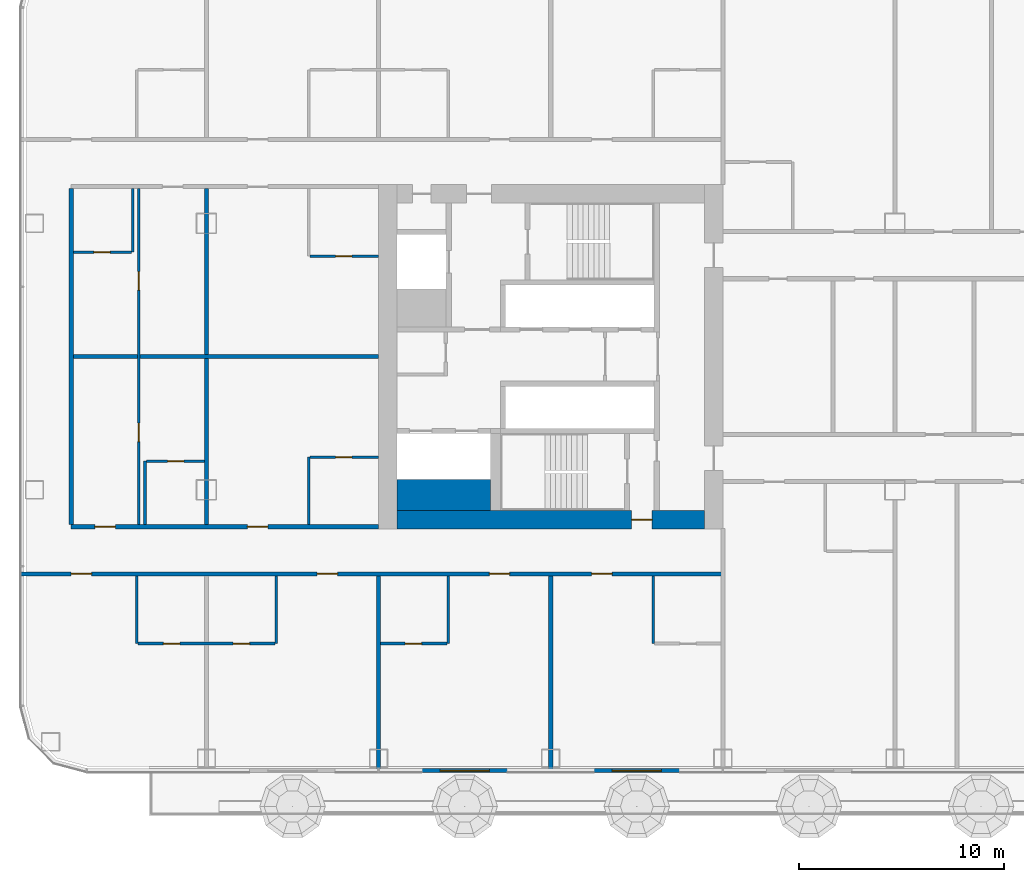
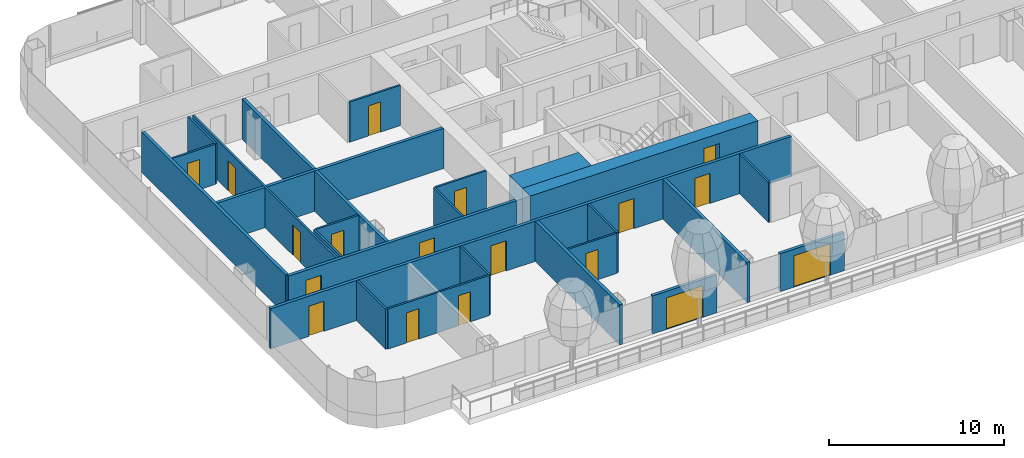
# One storey, part 13 of 35: 25 walls, 18 doors, 18 openings, 1 element without a shape of its own.
"""IFC4 building model written with IfcOpenShell, lengths in metres."""

from ifc_helpers import new_model, si_unit, direction, frame, frame_2d, origin, place, context, subcontext, project, spatial, rectangle, extrude, material, layer, layer_set, type_object, element, fill, aggregate, save


model = new_model("IFC4")

# Units and contexts
model_context = context("Model", 3, precision=1e-05, world=origin(), true_north=direction((0.0, 1.0)))
body_context = subcontext(model_context, "Body", "Model", "MODEL_VIEW")
ifc_project = project(units=[si_unit("LENGTHUNIT", "METRE"), si_unit("AREAUNIT", "SQUARE_METRE"), si_unit("VOLUMEUNIT", "CUBIC_METRE"), si_unit("PLANEANGLEUNIT", "RADIAN"), si_unit("MASSUNIT", "GRAM", prefix="KILO")], contexts=[model_context])

# Site, building, storey
site_placement = place(None, origin())
site = spatial("IfcSite", under=ifc_project, at=site_placement, CompositionType="ELEMENT")
building_placement = place(site_placement, origin())
building = spatial("IfcBuilding", under=site, at=building_placement, Name="Hakoniwa Tower and Hamabe Station Hall", CompositionType="ELEMENT")
storey_placement = place(building_placement, frame((0.0, 0.0, 51.800048828125)))
storey = spatial("IfcBuildingStorey", under=building, at=storey_placement, Name="L14", CompositionType="ELEMENT", Elevation=51.800048828125)

# Wall, openings, doors
ifc_material_1 = material(Name="Gypsum board partition", Category="gypsum")
ifc_layer_1 = layer(ifc_material_1, 0.125)
ifc_layer_set_1 = layer_set([ifc_layer_1], Name="Bathroom Partition 125")
wall_type_1 = type_object("IfcWallType", Name="Bathroom Partition 125", PredefinedType="PARTITIONING", material=ifc_layer_set_1)
wall_1_placement = place(storey_placement, frame((-45.33740234375, -14.0, 0.0), z_axis=(0.0, 0.0, 1.0), x_axis=(1.0, 0.0, 0.0)))
wall_1 = element("IfcWall", 1, at=wall_1_placement, inside=storey, type_object=wall_type_1, Name="GW-L14-001", PredefinedType="PARTITIONING", context=body_context, shape_type="SweptSolid", body=[
    extrude(rectangle(XDim=6.6748046875, YDim=0.125, at=frame_2d((3.33740234375, 0.0))), origin(), (0.0, 0.0, 1.0), 2.800048828125),
])
opening_1_placement = place(wall_1_placement, frame((1.237548828125, 0.0, 0.0)))
opening_1 = element("IfcOpeningElement", 2, at=opening_1_placement, cuts=wall_1, Name="Opening GD-G1A2-01", PredefinedType="OPENING", context=body_context, shape_type="SweptSolid", body=[
    extrude(rectangle(XDim=0.800048828125, YDim=2.10009765625, at=frame_2d((0.39990234375, 1.050048828125))), frame((0.0, 0.072509765625, 0.0), z_axis=(0.0, -1.0, 0.0), x_axis=(1.0, 0.0, 0.0)), (0.0, 0.0, 1.0), 0.14501953125),
])
opening_2_placement = place(wall_1_placement, frame((4.637451171875, 0.0, 0.0)))
opening_2 = element("IfcOpeningElement", 3, at=opening_2_placement, cuts=wall_1, Name="Opening GD-G1A2-02", PredefinedType="OPENING", context=body_context, shape_type="SweptSolid", body=[
    extrude(rectangle(XDim=0.800048828125, YDim=2.10009765625, at=frame_2d((0.39990234375, 1.050048828125))), frame((0.0, 0.072509765625, 0.0), z_axis=(0.0, -1.0, 0.0), x_axis=(1.0, 0.0, 0.0)), (0.0, 0.0, 1.0), 0.14501953125),
])
ifc_material_2 = material(Name="Timber door leaf", Category="wood")
door_type_1 = type_object("IfcDoorType", Name="Bathroom Door 800", OperationType="SINGLE_SWING_LEFT", PredefinedType="DOOR", material=ifc_material_2)
door_1_placement = place(opening_1_placement, origin())
door_1 = element("IfcDoor", 4, at=door_1_placement, inside=storey, type_object=door_type_1, Name="Door GD-G1A2-01", OperationType="SINGLE_SWING_LEFT", OverallHeight=2.10009765625, OverallWidth=0.800048828125, PredefinedType="DOOR", context=body_context, shape_type="SweptSolid", body=[
    extrude(rectangle(XDim=0.800048828125, YDim=2.10009765625, at=frame_2d((0.39990234375, 1.050048828125))), frame((0.0, 0.02490234375, 0.0), z_axis=(0.0, -1.0, 0.0), x_axis=(1.0, 0.0, 0.0)), (0.0, 0.0, 1.0), 0.050048828125),
])
fill(opening_1, door_1)
door_2_placement = place(opening_2_placement, origin())
door_2 = element("IfcDoor", 5, at=door_2_placement, inside=storey, type_object=door_type_1, Name="Door GD-G1A2-02", OperationType="SINGLE_SWING_RIGHT", OverallHeight=2.10009765625, OverallWidth=0.800048828125, PredefinedType="DOOR", context=body_context, shape_type="SweptSolid", body=[
    extrude(rectangle(XDim=0.800048828125, YDim=2.10009765625, at=frame_2d((0.39990234375, 1.050048828125))), frame((0.0, 0.02490234375, 0.0), z_axis=(0.0, -1.0, 0.0), x_axis=(1.0, 0.0, 0.0)), (0.0, 0.0, 1.0), 0.050048828125),
])
fill(opening_2, door_2)

# Wall, opening, door
wall_2_placement = place(storey_placement, frame((-33.5, -14.0, 0.0), z_axis=(0.0, 0.0, 1.0), x_axis=(1.0, 0.0, 0.0)))
wall_2 = element("IfcWall", 6, at=wall_2_placement, inside=storey, type_object=wall_type_1, Name="GW-L14-002", PredefinedType="PARTITIONING", context=body_context, shape_type="SweptSolid", body=[
    extrude(rectangle(XDim=3.237548828125, YDim=0.125, at=frame_2d((1.61865234375, 0.0))), origin(), (0.0, 0.0, 1.0), 2.800048828125),
])
opening_3_placement = place(wall_2_placement, frame((1.199951171875, 0.0, 0.0)))
opening_3 = element("IfcOpeningElement", 7, at=opening_3_placement, cuts=wall_2, Name="Opening GD-G1A2-03", PredefinedType="OPENING", context=body_context, shape_type="SweptSolid", body=[
    extrude(rectangle(XDim=0.800048828125, YDim=2.10009765625, at=frame_2d((0.39990234375, 1.050048828125))), frame((0.0, 0.072509765625, 0.0), z_axis=(0.0, -1.0, 0.0), x_axis=(1.0, 0.0, 0.0)), (0.0, 0.0, 1.0), 0.14501953125),
])
door_3_placement = place(opening_3_placement, origin())
door_3 = element("IfcDoor", 8, at=door_3_placement, inside=storey, type_object=door_type_1, Name="Door GD-G1A2-03", OperationType="SINGLE_SWING_LEFT", OverallHeight=2.10009765625, OverallWidth=0.800048828125, PredefinedType="DOOR", context=body_context, shape_type="SweptSolid", body=[
    extrude(rectangle(XDim=0.800048828125, YDim=2.10009765625, at=frame_2d((0.39990234375, 1.050048828125))), frame((0.0, 0.02490234375, 0.0), z_axis=(0.0, -1.0, 0.0), x_axis=(1.0, 0.0, 0.0)), (0.0, 0.0, 1.0), 0.050048828125),
])
fill(opening_3, door_3)

wall_3_placement = place(storey_placement, frame((-44.9375, -5.10009765625, 0.0), z_axis=(0.0, 0.0, 1.0), x_axis=(1.0, 0.0, 0.0)))
wall_3 = element("IfcWall", 9, at=wall_3_placement, inside=storey, type_object=wall_type_1, Name="GW-L14-015", PredefinedType="PARTITIONING", context=body_context, shape_type="SweptSolid", body=[
    extrude(rectangle(XDim=2.83740234375, YDim=0.125, at=frame_2d((1.418701171875, 0.0))), origin(), (0.0, 0.0, 1.0), 2.800048828125),
])
opening_4_placement = place(wall_3_placement, frame((1.03759765625, 0.0, 0.0)))
opening_4 = element("IfcOpeningElement", 10, at=opening_4_placement, cuts=wall_3, Name="Opening GD-G1A2-29", PredefinedType="OPENING", context=body_context, shape_type="SweptSolid", body=[
    extrude(rectangle(XDim=0.800048828125, YDim=2.10009765625, at=frame_2d((0.39990234375, 1.050048828125))), frame((0.0, 0.072509765625, 0.0), z_axis=(0.0, -1.0, 0.0), x_axis=(1.0, 0.0, 0.0)), (0.0, 0.0, 1.0), 0.14501953125),
])
door_4_placement = place(opening_4_placement, origin())
door_4 = element("IfcDoor", 11, at=door_4_placement, inside=storey, type_object=door_type_1, Name="Door GD-G1A2-29", OperationType="SINGLE_SWING_RIGHT", OverallHeight=2.10009765625, OverallWidth=0.800048828125, PredefinedType="DOOR", context=body_context, shape_type="SweptSolid", body=[
    extrude(rectangle(XDim=0.800048828125, YDim=2.10009765625, at=frame_2d((0.39990234375, 1.050048828125))), frame((0.0, 0.02490234375, 0.0), z_axis=(0.0, -1.0, 0.0), x_axis=(1.0, 0.0, 0.0)), (0.0, 0.0, 1.0), 0.050048828125),
])
fill(opening_4, door_4)

wall_4_placement = place(storey_placement, frame((-36.9375, -4.89990234375, 0.0), z_axis=(0.0, 0.0, 1.0), x_axis=(1.0, 0.0, 0.0)))
wall_4 = element("IfcWall", 12, at=wall_4_placement, inside=storey, type_object=wall_type_1, Name="GW-L14-017", PredefinedType="PARTITIONING", context=body_context, shape_type="SweptSolid", body=[
    extrude(rectangle(XDim=3.33740234375, YDim=0.125, at=frame_2d((1.668701171875, 0.0))), origin(), (0.0, 0.0, 1.0), 2.800048828125),
])
opening_5_placement = place(wall_4_placement, frame((1.237548828125, 0.0, 0.0)))
opening_5 = element("IfcOpeningElement", 13, at=opening_5_placement, cuts=wall_4, Name="Opening GD-G1A2-31", PredefinedType="OPENING", context=body_context, shape_type="SweptSolid", body=[
    extrude(rectangle(XDim=0.800048828125, YDim=2.10009765625, at=frame_2d((0.39990234375, 1.050048828125))), frame((0.0, 0.072509765625, 0.0), z_axis=(0.0, -1.0, 0.0), x_axis=(1.0, 0.0, 0.0)), (0.0, 0.0, 1.0), 0.14501953125),
])
door_5_placement = place(opening_5_placement, origin())
door_5 = element("IfcDoor", 14, at=door_5_placement, inside=storey, type_object=door_type_1, Name="Door GD-G1A2-31", OperationType="SINGLE_SWING_LEFT", OverallHeight=2.10009765625, OverallWidth=0.800048828125, PredefinedType="DOOR", context=body_context, shape_type="SweptSolid", body=[
    extrude(rectangle(XDim=0.800048828125, YDim=2.10009765625, at=frame_2d((0.39990234375, 1.050048828125))), frame((0.0, 0.02490234375, 0.0), z_axis=(0.0, -1.0, 0.0), x_axis=(1.0, 0.0, 0.0)), (0.0, 0.0, 1.0), 0.050048828125),
])
fill(opening_5, door_5)

wall_5_placement = place(storey_placement, frame((-36.9375, 4.89990234375, 0.0), z_axis=(0.0, 0.0, 1.0), x_axis=(1.0, 0.0, 0.0)))
wall_5 = element("IfcWall", 15, at=wall_5_placement, inside=storey, type_object=wall_type_1, Name="GW-L14-023", PredefinedType="PARTITIONING", context=body_context, shape_type="SweptSolid", body=[
    extrude(rectangle(XDim=3.33740234375, YDim=0.125, at=frame_2d((1.668701171875, 0.0))), origin(), (0.0, 0.0, 1.0), 2.800048828125),
])
opening_6_placement = place(wall_5_placement, frame((1.237548828125, 0.0, 0.0)))
opening_6 = element("IfcOpeningElement", 16, at=opening_6_placement, cuts=wall_5, Name="Opening GD-G1A2-41", PredefinedType="OPENING", context=body_context, shape_type="SweptSolid", body=[
    extrude(rectangle(XDim=0.800048828125, YDim=2.10009765625, at=frame_2d((0.39990234375, 1.050048828125))), frame((0.0, 0.072509765625, 0.0), z_axis=(0.0, -1.0, 0.0), x_axis=(1.0, 0.0, 0.0)), (0.0, 0.0, 1.0), 0.14501953125),
])
door_6_placement = place(opening_6_placement, origin())
door_6 = element("IfcDoor", 17, at=door_6_placement, inside=storey, type_object=door_type_1, Name="Door GD-G1A2-41", OperationType="SINGLE_SWING_RIGHT", OverallHeight=2.10009765625, OverallWidth=0.800048828125, PredefinedType="DOOR", context=body_context, shape_type="SweptSolid", body=[
    extrude(rectangle(XDim=0.800048828125, YDim=2.10009765625, at=frame_2d((0.39990234375, 1.050048828125))), frame((0.0, 0.02490234375, 0.0), z_axis=(0.0, -1.0, 0.0), x_axis=(1.0, 0.0, 0.0)), (0.0, 0.0, 1.0), 0.050048828125),
])
fill(opening_6, door_6)

wall_6_placement = place(storey_placement, frame((-48.5, 5.10009765625, 0.0), z_axis=(0.0, 0.0, 1.0), x_axis=(1.0, 0.0, 0.0)))
wall_6 = element("IfcWall", 18, at=wall_6_placement, inside=storey, type_object=wall_type_1, Name="GW-L14-025", PredefinedType="PARTITIONING", context=body_context, shape_type="SweptSolid", body=[
    extrude(rectangle(XDim=2.83740234375, YDim=0.125, at=frame_2d((1.418701171875, 0.0))), origin(), (0.0, 0.0, 1.0), 2.800048828125),
])
opening_7_placement = place(wall_6_placement, frame((1.0, 0.0, 0.0)))
opening_7 = element("IfcOpeningElement", 19, at=opening_7_placement, cuts=wall_6, Name="Opening GD-G1A2-43", PredefinedType="OPENING", context=body_context, shape_type="SweptSolid", body=[
    extrude(rectangle(XDim=0.800048828125, YDim=2.10009765625, at=frame_2d((0.39990234375, 1.050048828125))), frame((0.0, 0.072509765625, 0.0), z_axis=(0.0, -1.0, 0.0), x_axis=(1.0, 0.0, 0.0)), (0.0, 0.0, 1.0), 0.14501953125),
])
door_7_placement = place(opening_7_placement, origin())
door_7 = element("IfcDoor", 20, at=door_7_placement, inside=storey, type_object=door_type_1, Name="Door GD-G1A2-43", OperationType="SINGLE_SWING_LEFT", OverallHeight=2.10009765625, OverallWidth=0.800048828125, PredefinedType="DOOR", context=body_context, shape_type="SweptSolid", body=[
    extrude(rectangle(XDim=0.800048828125, YDim=2.10009765625, at=frame_2d((0.39990234375, 1.050048828125))), frame((0.0, 0.02490234375, 0.0), z_axis=(0.0, -1.0, 0.0), x_axis=(1.0, 0.0, 0.0)), (0.0, 0.0, 1.0), 0.050048828125),
])
fill(opening_7, door_7)

# Walls
wall_7_placement = place(storey_placement, frame((-45.60009765625, 5.10009765625, 0.0), z_axis=(0.0, 0.0, 1.0), x_axis=(0.0, 1.0, 0.0)))
element("IfcWall", 21, at=wall_7_placement, inside=storey, type_object=wall_type_1, Name="GW-L14-041", PredefinedType="PARTITIONING", context=body_context, shape_type="SweptSolid", body=[
    extrude(rectangle(XDim=3.099853515625, YDim=0.125, at=frame_2d((1.5498046875, 0.0))), origin(), (0.0, 0.0, 1.0), 2.800048828125),
])
wall_8_placement = place(storey_placement, frame((-45.39990234375, -14.0, 0.0), z_axis=(0.0, 0.0, 1.0), x_axis=(0.0, 1.0, 0.0)))
element("IfcWall", 22, at=wall_8_placement, inside=storey, type_object=wall_type_1, Name="GW-L14-042", PredefinedType="PARTITIONING", context=body_context, shape_type="SweptSolid", body=[
    extrude(rectangle(XDim=3.300048828125, YDim=0.125, at=frame_2d((1.64990234375, 0.0))), origin(), (0.0, 0.0, 1.0), 2.800048828125),
])
wall_9_placement = place(storey_placement, frame((-45.0, -8.199951171875, 0.0), z_axis=(0.0, 0.0, 1.0), x_axis=(0.0, 1.0, 0.0)))
element("IfcWall", 23, at=wall_9_placement, inside=storey, type_object=wall_type_1, Name="GW-L14-045", PredefinedType="PARTITIONING", context=body_context, shape_type="SweptSolid", body=[
    extrude(rectangle(XDim=3.099853515625, YDim=0.125, at=frame_2d((1.5498046875, 0.0))), origin(), (0.0, 0.0, 1.0), 2.800048828125),
])
for number, where, z_axis, x_axis, name in (
    (24, (-38.60009765625, -14.0, 0.0), (0.0, 0.0, 1.0), (0.0, 1.0, 0.0), "GW-L14-049"),
    (25, (-37.0, -8.199951171875, 0.0), (0.0, 0.0, 1.0), (0.0, 1.0, 0.0), "GW-L14-050"),
    (26, (-30.199951171875, -14.0, 0.0), (0.0, 0.0, 1.0), (0.0, 1.0, 0.0), "GW-L14-055"),
    (27, (-20.199951171875, -14.0, 0.0), (0.0, 0.0, 1.0), (0.0, 1.0, 0.0), "GW-L14-059"),
):
    element("IfcWall", number, at=place(storey_placement, frame(where, z_axis=z_axis, x_axis=x_axis)), inside=storey, type_object=wall_type_1, Name=name, PredefinedType="PARTITIONING", context=body_context, shape_type="SweptSolid", body=[
        extrude(rectangle(XDim=3.300048828125, YDim=0.125, at=frame_2d((1.64990234375, 0.0))), origin(), (0.0, 0.0, 1.0), 2.800048828125),
    ])

# Wall, opening, door
ifc_material_3 = material(Name="Concrete C80", Category="concrete")
ifc_layer_2 = layer(ifc_material_3, 0.89990234375)
ifc_layer_set_2 = layer_set([ifc_layer_2], Name="CORE WALL 900 C80")
wall_type_2 = type_object("IfcWallType", Name="CORE WALL 900 C80", PredefinedType="SHEAR", material=ifc_layer_set_2)
wall_10_placement = place(storey_placement, frame((-32.699951171875, -7.949951171875, 0.0), z_axis=(0.0, 0.0, 1.0), x_axis=(1.0, 0.0, 0.0)))
wall_10 = element("IfcWall", 28, at=wall_10_placement, inside=storey, type_object=wall_type_2, Name="Core wall SOUTH west", PredefinedType="SHEAR", context=body_context, shape_type="SweptSolid", body=[
    extrude(rectangle(XDim=15.0, YDim=0.89990234375, at=frame_2d((7.5, 0.0))), origin(), (0.0, 0.0, 1.0), 2.800048828125),
])
opening_8_placement = place(wall_10_placement, frame((11.449951171875, 0.0, 0.0)))
opening_8 = element("IfcOpeningElement", 29, at=opening_8_placement, cuts=wall_10, Name="Opening CD-W-FS3-10", PredefinedType="OPENING", context=body_context, shape_type="SweptSolid", body=[
    extrude(rectangle(XDim=1.0, YDim=2.10009765625, at=frame_2d((0.5, 1.050048828125))), frame((0.0, 0.4599609375, 0.0), z_axis=(0.0, -1.0, 0.0), x_axis=(1.0, 0.0, 0.0)), (0.0, 0.0, 1.0), 0.919921875),
])
ifc_material_4 = material(Name="Steel fire door", Category="steel")
door_type_2 = type_object("IfcDoorType", Name="CORE DOOR 1000 FD60", OperationType="NOTDEFINED", PredefinedType="DOOR", material=ifc_material_4)
door_8_placement = place(opening_8_placement, origin())
door_8 = element("IfcDoor", 30, at=door_8_placement, inside=storey, type_object=door_type_2, Name="Stair vestibule door", OperationType="SINGLE_SWING_RIGHT", OverallHeight=2.10009765625, OverallWidth=1.0, PredefinedType="DOOR", context=body_context, shape_type="SweptSolid", body=[
    extrude(rectangle(XDim=1.0, YDim=2.10009765625, at=frame_2d((0.5, 1.050048828125))), frame((0.0, 0.02490234375, 0.0), z_axis=(0.0, -1.0, 0.0), x_axis=(1.0, 0.0, 0.0)), (0.0, 0.0, 1.0), 0.050048828125),
])
fill(opening_8, door_8)

# Wall
ifc_material_5 = material(Name="Concrete C80", Category="concrete")
ifc_layer_3 = layer(ifc_material_5, 1.5)
ifc_layer_set_3 = layer_set([ifc_layer_3], Name="CORE WEB WALL 1500 C80")
wall_type_3 = type_object("IfcWallType", Name="CORE WEB WALL 1500 C80", PredefinedType="SHEAR", material=ifc_layer_set_3)
wall_11_placement = place(storey_placement, frame((-32.699951171875, -6.75, 0.0), z_axis=(0.0, 0.0, 1.0), x_axis=(1.0, 0.0, 0.0)))
element("IfcWall", 31, at=wall_11_placement, inside=storey, type_object=wall_type_3, Name="Core wall SER west", PredefinedType="SHEAR", context=body_context, shape_type="SweptSolid", body=[
    extrude(rectangle(XDim=4.550048828125, YDim=1.5, at=frame_2d((2.27490234375, 0.0))), origin(), (0.0, 0.0, 1.0), 2.800048828125),
])

# Wall, openings, doors
ifc_material_6 = material(Name="Fire-rated gypsum board partition", Category="gypsum")
ifc_layer_4 = layer(ifc_material_6, 0.199951171875)
ifc_layer_set_4 = layer_set([ifc_layer_4], Name="Corridor Wall 200")
wall_type_4 = type_object("IfcWallType", Name="Corridor Wall 200", PredefinedType="PARTITIONING", material=ifc_layer_set_4)
wall_12_placement = place(storey_placement, frame((-51.10009765625, -10.60009765625, 0.0), z_axis=(0.0, 0.0, 1.0), x_axis=(1.0, 0.0, 0.0)))
wall_12 = element("IfcWall", 32, at=wall_12_placement, inside=storey, type_object=wall_type_4, Name="GW-L14-007", PredefinedType="PARTITIONING", context=body_context, shape_type="SweptSolid", body=[
    extrude(rectangle(XDim=34.300048828125, YDim=0.199951171875, at=frame_2d((17.14990234375, 0.0))), origin(), (0.0, 0.0, 1.0), 2.800048828125),
])
opening_9_placement = place(wall_12_placement, frame((2.5, 0.0, 0.0)))
opening_9 = element("IfcOpeningElement", 33, at=opening_9_placement, cuts=wall_12, Name="Opening GD-G1A2-09", PredefinedType="OPENING", context=body_context, shape_type="SweptSolid", body=[
    extrude(rectangle(XDim=1.0, YDim=2.10009765625, at=frame_2d((0.5, 1.050048828125))), frame((0.0, 0.10986328125, 0.0), z_axis=(0.0, -1.0, 0.0), x_axis=(1.0, 0.0, 0.0)), (0.0, 0.0, 1.0), 0.219970703125),
])
opening_10_placement = place(wall_12_placement, frame((14.5, 0.0, 0.0)))
opening_10 = element("IfcOpeningElement", 34, at=opening_10_placement, cuts=wall_12, Name="Opening GD-G1A2-10", PredefinedType="OPENING", context=body_context, shape_type="SweptSolid", body=[
    extrude(rectangle(XDim=1.0, YDim=2.10009765625, at=frame_2d((0.5, 1.050048828125))), frame((0.0, 0.10986328125, 0.0), z_axis=(0.0, -1.0, 0.0), x_axis=(1.0, 0.0, 0.0)), (0.0, 0.0, 1.0), 0.219970703125),
])
opening_11_placement = place(wall_12_placement, frame((22.89990234375, 0.0, 0.0)))
opening_11 = element("IfcOpeningElement", 35, at=opening_11_placement, cuts=wall_12, Name="Opening GD-G1A2-11", PredefinedType="OPENING", context=body_context, shape_type="SweptSolid", body=[
    extrude(rectangle(XDim=1.0, YDim=2.10009765625, at=frame_2d((0.5, 1.050048828125))), frame((0.0, 0.10986328125, 0.0), z_axis=(0.0, -1.0, 0.0), x_axis=(1.0, 0.0, 0.0)), (0.0, 0.0, 1.0), 0.219970703125),
])
opening_12_placement = place(wall_12_placement, frame((27.89990234375, 0.0, 0.0)))
opening_12 = element("IfcOpeningElement", 36, at=opening_12_placement, cuts=wall_12, Name="Opening GD-G1A2-12", PredefinedType="OPENING", context=body_context, shape_type="SweptSolid", body=[
    extrude(rectangle(XDim=1.0, YDim=2.10009765625, at=frame_2d((0.5, 1.050048828125))), frame((0.0, 0.10986328125, 0.0), z_axis=(0.0, -1.0, 0.0), x_axis=(1.0, 0.0, 0.0)), (0.0, 0.0, 1.0), 0.219970703125),
])
ifc_material_7 = material(Name="Timber door leaf", Category="wood")
door_type_3 = type_object("IfcDoorType", Name="Guest Entrance Door 1000", OperationType="SINGLE_SWING_LEFT", PredefinedType="DOOR", material=ifc_material_7)
door_9_placement = place(opening_9_placement, origin())
door_9 = element("IfcDoor", 37, at=door_9_placement, inside=storey, type_object=door_type_3, Name="Door GD-G1A2-09", OperationType="SINGLE_SWING_RIGHT", OverallHeight=2.10009765625, OverallWidth=1.0, PredefinedType="DOOR", context=body_context, shape_type="SweptSolid", body=[
    extrude(rectangle(XDim=1.0, YDim=2.10009765625, at=frame_2d((0.5, 1.050048828125))), frame((0.0, 0.02490234375, 0.0), z_axis=(0.0, -1.0, 0.0), x_axis=(1.0, 0.0, 0.0)), (0.0, 0.0, 1.0), 0.050048828125),
])
fill(opening_9, door_9)
door_10_placement = place(opening_10_placement, origin())
door_10 = element("IfcDoor", 38, at=door_10_placement, inside=storey, type_object=door_type_3, Name="Door GD-G1A2-10", OperationType="SINGLE_SWING_RIGHT", OverallHeight=2.10009765625, OverallWidth=1.0, PredefinedType="DOOR", context=body_context, shape_type="SweptSolid", body=[
    extrude(rectangle(XDim=1.0, YDim=2.10009765625, at=frame_2d((0.5, 1.050048828125))), frame((0.0, 0.02490234375, 0.0), z_axis=(0.0, -1.0, 0.0), x_axis=(1.0, 0.0, 0.0)), (0.0, 0.0, 1.0), 0.050048828125),
])
fill(opening_10, door_10)
door_11_placement = place(opening_11_placement, origin())
door_11 = element("IfcDoor", 39, at=door_11_placement, inside=storey, type_object=door_type_3, Name="Door GD-G1A2-11", OperationType="SINGLE_SWING_LEFT", OverallHeight=2.10009765625, OverallWidth=1.0, PredefinedType="DOOR", context=body_context, shape_type="SweptSolid", body=[
    extrude(rectangle(XDim=1.0, YDim=2.10009765625, at=frame_2d((0.5, 1.050048828125))), frame((0.0, 0.02490234375, 0.0), z_axis=(0.0, -1.0, 0.0), x_axis=(1.0, 0.0, 0.0)), (0.0, 0.0, 1.0), 0.050048828125),
])
fill(opening_11, door_11)
door_12_placement = place(opening_12_placement, origin())
door_12 = element("IfcDoor", 40, at=door_12_placement, inside=storey, type_object=door_type_3, Name="Door GD-G1A2-12", OperationType="SINGLE_SWING_RIGHT", OverallHeight=2.10009765625, OverallWidth=1.0, PredefinedType="DOOR", context=body_context, shape_type="SweptSolid", body=[
    extrude(rectangle(XDim=1.0, YDim=2.10009765625, at=frame_2d((0.5, 1.050048828125))), frame((0.0, 0.02490234375, 0.0), z_axis=(0.0, -1.0, 0.0), x_axis=(1.0, 0.0, 0.0)), (0.0, 0.0, 1.0), 0.050048828125),
])
fill(opening_12, door_12)

wall_13_placement = place(storey_placement, frame((-48.60009765625, -8.300048828125, 0.0), z_axis=(0.0, 0.0, 1.0), x_axis=(1.0, 0.0, 0.0)))
wall_13 = element("IfcWall", 41, at=wall_13_placement, inside=storey, type_object=wall_type_4, Name="GW-L14-012", PredefinedType="PARTITIONING", context=body_context, shape_type="SweptSolid", body=[
    extrude(rectangle(XDim=15.0, YDim=0.199951171875, at=frame_2d((7.5, 0.0))), origin(), (0.0, 0.0, 1.0), 2.800048828125),
])
opening_13_placement = place(wall_13_placement, frame((1.14990234375, 0.0, 0.0)))
opening_13 = element("IfcOpeningElement", 42, at=opening_13_placement, cuts=wall_13, Name="Opening GD-G1A2-20", PredefinedType="OPENING", context=body_context, shape_type="SweptSolid", body=[
    extrude(rectangle(XDim=1.0, YDim=2.10009765625, at=frame_2d((0.5, 1.050048828125))), frame((0.0, 0.10986328125, 0.0), z_axis=(0.0, -1.0, 0.0), x_axis=(1.0, 0.0, 0.0)), (0.0, 0.0, 1.0), 0.219970703125),
])
opening_14_placement = place(wall_13_placement, frame((8.60009765625, 0.0, 0.0)))
opening_14 = element("IfcOpeningElement", 43, at=opening_14_placement, cuts=wall_13, Name="Opening GD-G1A2-21", PredefinedType="OPENING", context=body_context, shape_type="SweptSolid", body=[
    extrude(rectangle(XDim=1.0, YDim=2.10009765625, at=frame_2d((0.5, 1.050048828125))), frame((0.0, 0.10986328125, 0.0), z_axis=(0.0, -1.0, 0.0), x_axis=(1.0, 0.0, 0.0)), (0.0, 0.0, 1.0), 0.219970703125),
])
door_13_placement = place(opening_13_placement, origin())
door_13 = element("IfcDoor", 44, at=door_13_placement, inside=storey, type_object=door_type_3, Name="Door GD-G1A2-20", OperationType="SINGLE_SWING_LEFT", OverallHeight=2.10009765625, OverallWidth=1.0, PredefinedType="DOOR", context=body_context, shape_type="SweptSolid", body=[
    extrude(rectangle(XDim=1.0, YDim=2.10009765625, at=frame_2d((0.5, 1.050048828125))), frame((0.0, 0.02490234375, 0.0), z_axis=(0.0, -1.0, 0.0), x_axis=(1.0, 0.0, 0.0)), (0.0, 0.0, 1.0), 0.050048828125),
])
fill(opening_13, door_13)
door_14_placement = place(opening_14_placement, origin())
door_14 = element("IfcDoor", 45, at=door_14_placement, inside=storey, type_object=door_type_3, Name="Door GD-G1A2-21", OperationType="SINGLE_SWING_LEFT", OverallHeight=2.10009765625, OverallWidth=1.0, PredefinedType="DOOR", context=body_context, shape_type="SweptSolid", body=[
    extrude(rectangle(XDim=1.0, YDim=2.10009765625, at=frame_2d((0.5, 1.050048828125))), frame((0.0, 0.02490234375, 0.0), z_axis=(0.0, -1.0, 0.0), x_axis=(1.0, 0.0, 0.0)), (0.0, 0.0, 1.0), 0.050048828125),
])
fill(opening_14, door_14)

# Curtain wall, walls, openings, doors
ifc_material_8 = material(Name="Dark low-e laminated glass", Category="glass")
ifc_layer_5 = layer(ifc_material_8, 0.199951171875)
ifc_layer_set_5 = layer_set([ifc_layer_5], Name="CW-1 UNITISED GUEST")
curtain_wall_type = type_object("IfcCurtainWallType", Name="CW-1 UNITISED GUEST", PredefinedType="NOTDEFINED", material=ifc_layer_set_5)
curtain_wall_placement = place(storey_placement, origin())
curtain_wall = element("IfcCurtainWall", 46, at=curtain_wall_placement, inside=storey, type_object=curtain_wall_type, Name="CW-1 curtain wall", PredefinedType="NOTDEFINED")
ifc_material_9 = material(Name="Dark glass-faced aluminium panel", Category="aluminium")
ifc_layer_6 = layer(ifc_material_9, 0.199951171875)
ifc_layer_set_6 = layer_set([ifc_layer_6], Name="DOOR BAY WALL")
wall_type_5 = type_object("IfcWallType", Name="DOOR BAY WALL", PredefinedType="NOTDEFINED", material=ifc_layer_set_6)
wall_14_placement = place(storey_placement, frame((-31.510009765625, -20.199951171875, 0.0), z_axis=(0.0, 0.0, 1.0), x_axis=(1.0, 0.0, 0.0)))
wall_14 = element("IfcWall", 47, at=wall_14_placement, type_object=wall_type_5, Name="Door bay wall", PredefinedType="NOTDEFINED", context=body_context, shape_type="SweptSolid", body=[
    extrude(rectangle(XDim=4.219970703125, YDim=0.199951171875, at=frame_2d((2.10986328125, 0.0))), origin(), (0.0, 0.0, 1.0), 2.64990234375),
])
opening_15_placement = place(wall_14_placement, frame((0.909912109375, 0.0, 0.0)))
opening_15 = element("IfcOpeningElement", 48, at=opening_15_placement, cuts=wall_14, Name="Opening BD-S07-16", PredefinedType="OPENING", context=body_context, shape_type="SweptSolid", body=[
    extrude(rectangle(XDim=2.39990234375, YDim=2.199951171875, at=frame_2d((1.199951171875, 1.10009765625))), frame((0.0, 0.10986328125, 0.0), z_axis=(0.0, -1.0, 0.0), x_axis=(1.0, 0.0, 0.0)), (0.0, 0.0, 1.0), 0.219970703125),
])
ifc_material_10 = material(Name="Dark low-e laminated glass", Category="glass")
door_type_4 = type_object("IfcDoorType", Name="BALCONY SLIDING DOOR 2400X2200", OperationType="SLIDING_TO_LEFT", PredefinedType="DOOR", material=ifc_material_10)
door_15_placement = place(opening_15_placement, frame((2.39990234375, 0.0, 0.0), z_axis=(0.0, 0.0, 1.0), x_axis=(-1.0, 0.0, 0.0)))
door_15 = element("IfcDoor", 49, at=door_15_placement, inside=storey, type_object=door_type_4, Name="Balcony sliding door", OperationType="SLIDING_TO_LEFT", OverallHeight=2.199951171875, OverallWidth=2.39990234375, PredefinedType="DOOR", context=body_context, shape_type="SweptSolid", body=[
    extrude(rectangle(XDim=2.39990234375, YDim=2.199951171875, at=frame_2d((1.199951171875, 1.10009765625))), frame((0.0, 0.02490234375, 0.0), z_axis=(0.0, -1.0, 0.0), x_axis=(1.0, 0.0, 0.0)), (0.0, 0.0, 1.0), 0.050048828125),
])
fill(opening_15, door_15)
wall_15_placement = place(storey_placement, frame((-23.110107421875, -20.199951171875, 0.0), z_axis=(0.0, 0.0, 1.0), x_axis=(1.0, 0.0, 0.0)))
wall_15 = element("IfcWall", 50, at=wall_15_placement, type_object=wall_type_5, Name="Door bay wall", PredefinedType="NOTDEFINED", context=body_context, shape_type="SweptSolid", body=[
    extrude(rectangle(XDim=4.22021484375, YDim=0.199951171875, at=frame_2d((2.110107421875, 0.0))), origin(), (0.0, 0.0, 1.0), 2.64990234375),
])
opening_16_placement = place(wall_15_placement, frame((0.909912109375, 0.0, 0.0)))
opening_16 = element("IfcOpeningElement", 51, at=opening_16_placement, cuts=wall_15, Name="Opening BD-S07-17", PredefinedType="OPENING", context=body_context, shape_type="SweptSolid", body=[
    extrude(rectangle(XDim=2.39990234375, YDim=2.199951171875, at=frame_2d((1.199951171875, 1.10009765625))), frame((0.0, 0.10986328125, 0.0), z_axis=(0.0, -1.0, 0.0), x_axis=(1.0, 0.0, 0.0)), (0.0, 0.0, 1.0), 0.219970703125),
])
door_16_placement = place(opening_16_placement, frame((2.39990234375, 0.0, 0.0), z_axis=(0.0, 0.0, 1.0), x_axis=(-1.0, 0.0, 0.0)))
door_16 = element("IfcDoor", 52, at=door_16_placement, inside=storey, type_object=door_type_4, Name="Balcony sliding door", OperationType="SLIDING_TO_LEFT", OverallHeight=2.199951171875, OverallWidth=2.39990234375, PredefinedType="DOOR", context=body_context, shape_type="SweptSolid", body=[
    extrude(rectangle(XDim=2.39990234375, YDim=2.199951171875, at=frame_2d((1.199951171875, 1.10009765625))), frame((0.0, 0.02490234375, 0.0), z_axis=(0.0, -1.0, 0.0), x_axis=(1.0, 0.0, 0.0)), (0.0, 0.0, 1.0), 0.050048828125),
])
fill(opening_16, door_16)
aggregate(curtain_wall, [wall_14, wall_15])

# Walls
ifc_material_11 = material(Name="Fire-rated gypsum board partition", Category="gypsum")
ifc_layer_7 = layer(ifc_material_11, 0.199951171875)
ifc_layer_set_7 = layer_set([ifc_layer_7], Name="Party Wall 200")
wall_type_6 = type_object("IfcWallType", Name="Party Wall 200", PredefinedType="PARTITIONING", material=ifc_layer_set_7)
wall_16_placement = place(storey_placement, frame((-48.5, 0.0, 0.0), z_axis=(0.0, 0.0, 1.0), x_axis=(1.0, 0.0, 0.0)))
element("IfcWall", 53, at=wall_16_placement, inside=storey, type_object=wall_type_6, Name="GW-L14-020", PredefinedType="PARTITIONING", context=body_context, shape_type="SweptSolid", body=[
    extrude(rectangle(XDim=14.89990234375, YDim=0.199951171875, at=frame_2d((7.449951171875, 0.0))), origin(), (0.0, 0.0, 1.0), 2.800048828125),
])
for number, where, z_axis, x_axis, name in (
    (54, (-48.60009765625, -8.199951171875, 0.0), (0.0, 0.0, 1.0), (0.0, 1.0, 0.0), "GW-L14-040"),
    (55, (-42.0, -8.199951171875, 0.0), (0.0, 0.0, 1.0), (0.0, 1.0, 0.0), "GW-L14-047"),
):
    element("IfcWall", number, at=place(storey_placement, frame(where, z_axis=z_axis, x_axis=x_axis)), inside=storey, type_object=wall_type_6, Name=name, PredefinedType="PARTITIONING", context=body_context, shape_type="SweptSolid", body=[
        extrude(rectangle(XDim=16.39990234375, YDim=0.199951171875, at=frame_2d((8.199951171875, 0.0))), origin(), (0.0, 0.0, 1.0), 2.800048828125),
    ])
for number, where, z_axis, x_axis, name in (
    (56, (-33.60009765625, -20.300048828125, 0.0), (0.0, 0.0, 1.0), (0.0, 1.0, 0.0), "GW-L14-053"),
    (57, (-25.199951171875, -20.300048828125, 0.0), (0.0, 0.0, 1.0), (0.0, 1.0, 0.0), "GW-L14-057"),
):
    element("IfcWall", number, at=place(storey_placement, frame(where, z_axis=z_axis, x_axis=x_axis)), inside=storey, type_object=wall_type_6, Name=name, PredefinedType="PARTITIONING", context=body_context, shape_type="SweptSolid", body=[
        extrude(rectangle(XDim=9.60009765625, YDim=0.199951171875, at=frame_2d((4.800048828125, 0.0))), origin(), (0.0, 0.0, 1.0), 2.800048828125),
    ])

# Wall, openings, doors
ifc_material_12 = material(Name="Gypsum board partition", Category="gypsum")
ifc_layer_8 = layer(ifc_material_12, 0.125)
ifc_layer_set_8 = layer_set([ifc_layer_8], Name="Room Partition 125")
wall_type_7 = type_object("IfcWallType", Name="Room Partition 125", PredefinedType="PARTITIONING", material=ifc_layer_set_8)
wall_17_placement = place(storey_placement, frame((-45.300048828125, -8.199951171875, 0.0), z_axis=(0.0, 0.0, 1.0), x_axis=(0.0, 1.0, 0.0)))
wall_17 = element("IfcWall", 58, at=wall_17_placement, inside=storey, type_object=wall_type_7, Name="GW-L14-044", PredefinedType="PARTITIONING", context=body_context, shape_type="SweptSolid", body=[
    extrude(rectangle(XDim=16.39990234375, YDim=0.125, at=frame_2d((8.199951171875, 0.0))), origin(), (0.0, 0.0, 1.0), 2.800048828125),
])
opening_17_placement = place(wall_17_placement, frame((4.050048828125, 0.0, 0.0)))
opening_17 = element("IfcOpeningElement", 59, at=opening_17_placement, cuts=wall_17, Name="Opening GD-G1A2-72", PredefinedType="OPENING", context=body_context, shape_type="SweptSolid", body=[
    extrude(rectangle(XDim=0.89990234375, YDim=2.10009765625, at=frame_2d((0.449951171875, 1.050048828125))), frame((0.0, 0.072509765625, 0.0), z_axis=(0.0, -1.0, 0.0), x_axis=(1.0, 0.0, 0.0)), (0.0, 0.0, 1.0), 0.14501953125),
])
opening_18_placement = place(wall_17_placement, frame((11.449951171875, 0.0, 0.0)))
opening_18 = element("IfcOpeningElement", 60, at=opening_18_placement, cuts=wall_17, Name="Opening GD-G1A2-73", PredefinedType="OPENING", context=body_context, shape_type="SweptSolid", body=[
    extrude(rectangle(XDim=0.89990234375, YDim=2.10009765625, at=frame_2d((0.449951171875, 1.050048828125))), frame((0.0, 0.072509765625, 0.0), z_axis=(0.0, -1.0, 0.0), x_axis=(1.0, 0.0, 0.0)), (0.0, 0.0, 1.0), 0.14501953125),
])
ifc_material_13 = material(Name="Timber door leaf", Category="wood")
door_type_5 = type_object("IfcDoorType", Name="Suite Interior Door 900", OperationType="SINGLE_SWING_LEFT", PredefinedType="DOOR", material=ifc_material_13)
door_17_placement = place(opening_17_placement, origin())
door_17 = element("IfcDoor", 61, at=door_17_placement, inside=storey, type_object=door_type_5, Name="Door GD-G1A2-72", OperationType="SINGLE_SWING_LEFT", OverallHeight=2.10009765625, OverallWidth=0.89990234375, PredefinedType="DOOR", context=body_context, shape_type="SweptSolid", body=[
    extrude(rectangle(XDim=0.89990234375, YDim=2.10009765625, at=frame_2d((0.449951171875, 1.050048828125))), frame((0.0, 0.02490234375, 0.0), z_axis=(0.0, -1.0, 0.0), x_axis=(1.0, 0.0, 0.0)), (0.0, 0.0, 1.0), 0.050048828125),
])
fill(opening_17, door_17)
door_18_placement = place(opening_18_placement, origin())
door_18 = element("IfcDoor", 62, at=door_18_placement, inside=storey, type_object=door_type_5, Name="Door GD-G1A2-73", OperationType="SINGLE_SWING_LEFT", OverallHeight=2.10009765625, OverallWidth=0.89990234375, PredefinedType="DOOR", context=body_context, shape_type="SweptSolid", body=[
    extrude(rectangle(XDim=0.89990234375, YDim=2.10009765625, at=frame_2d((0.449951171875, 1.050048828125))), frame((0.0, 0.02490234375, 0.0), z_axis=(0.0, -1.0, 0.0), x_axis=(1.0, 0.0, 0.0)), (0.0, 0.0, 1.0), 0.050048828125),
])
fill(opening_18, door_18)

save(model, "model.ifc")
